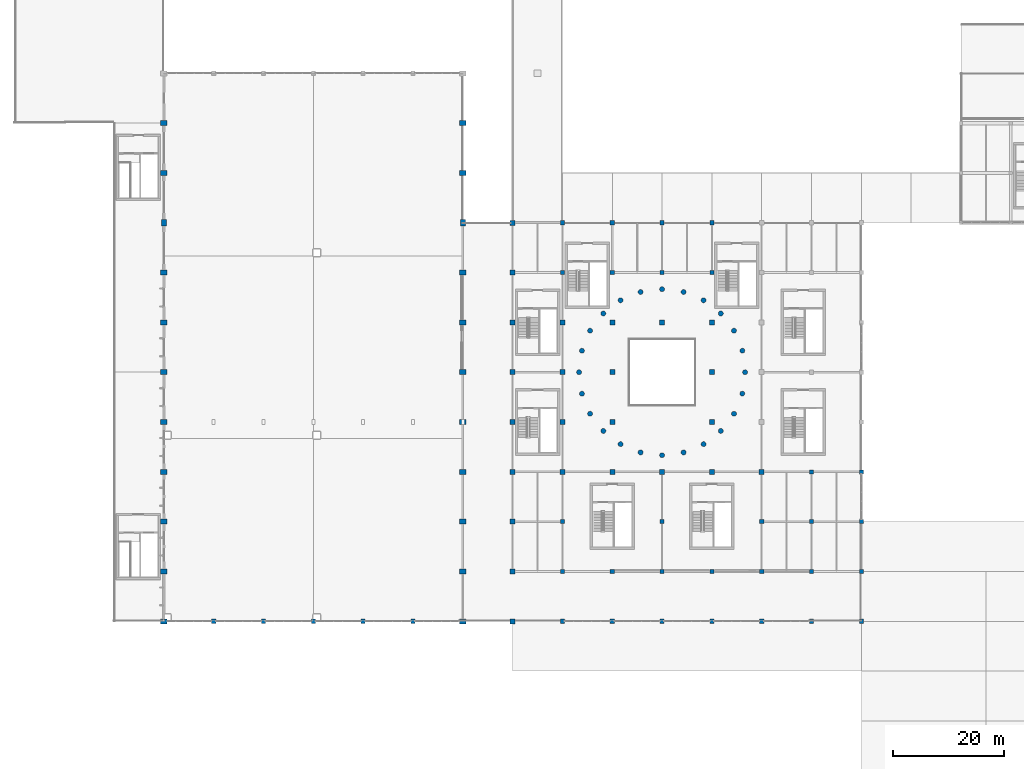
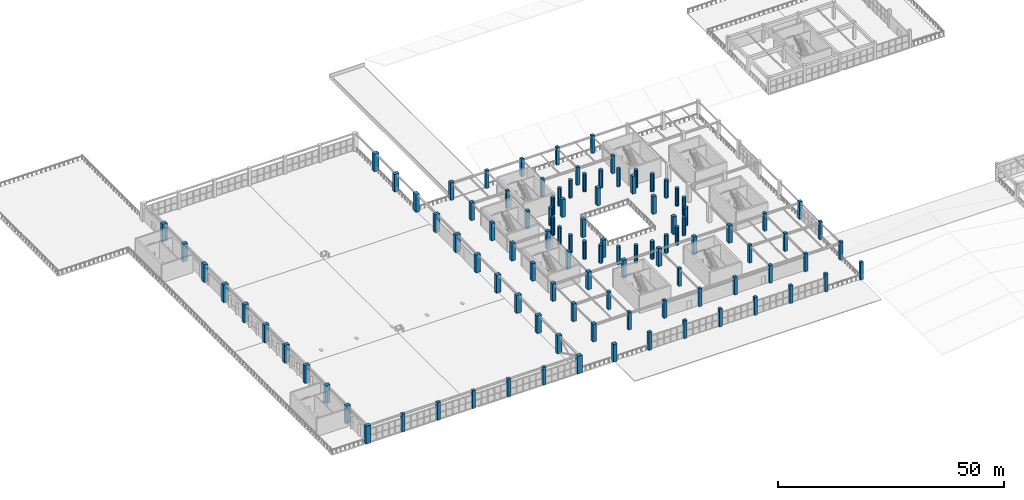
# One storey, part 1 of 89: 104 columns.
"""IFC4 building model written with IfcOpenShell, lengths in metres."""

import ifcopenshell
import ifcopenshell.guid

model = None  # the IFC model being written
_history = None  # IfcOwnerHistory: only IFC2X3 demands one
_inside = {}  # id of a spatial element -> (the spatial element, [elements in it])
_under = {}  # id of a project, library or spatial element -> (it, [spatial elements below it])
_declared = {}  # id of a project -> (the project, [libraries it declares])
_typed = {}  # id of a type object -> (the type object, [elements of that type])
_made_of = {}  # id of a material, layer set ... -> (it, [elements and type objects made of it])


def new_model(schema):
    """Start an empty IFC model of exactly this schema.

    Asked for "IFC4X3", IfcOpenShell would pick the latest addendum, in which some entities
    have other attributes; the version numbers below select the first issue.
    IFC2X3 requires an IfcOwnerHistory on every rooted entity: one is made here for all.
    """
    global model, _history
    if schema == "IFC4X3":
        model = ifcopenshell.file(schema_version=(4, 3, 0, 0))
    else:
        model = ifcopenshell.file(schema=schema)
    _inside.clear()
    _under.clear()
    _declared.clear()
    _typed.clear()
    _made_of.clear()
    _history = None
    if model.schema == "IFC2X3":
        org = make("IfcOrganization", Name="unknown")
        user = make(
            "IfcPersonAndOrganization",
            ThePerson=make("IfcPerson", FamilyName="unknown"),
            TheOrganization=org,
        )
        app = make(
            "IfcApplication",
            ApplicationDeveloper=org,
            Version="unknown",
            ApplicationFullName="unknown",
            ApplicationIdentifier="unknown",
        )
        _history = make(
            "IfcOwnerHistory",
            OwningUser=user,
            OwningApplication=app,
            ChangeAction="ADDED",
            CreationDate=0,
        )
    return model


def make(cls, **values):
    """One entity of the class cls with the attributes given. An attribute that is None is left unset."""
    return model.create_entity(
        cls, **{name: value for name, value in values.items() if value is not None}
    )


def rooted(cls, **values):
    """An entity with a GlobalId (a new one), such as an element, a storey or a relation."""
    return make(cls, GlobalId=ifcopenshell.guid.new(), OwnerHistory=_history, **values)


def si_unit(unit_type, name, prefix=None):
    """IfcSIUnit, for example si_unit("LENGTHUNIT", "METRE", prefix="MILLI")."""
    return make("IfcSIUnit", UnitType=unit_type, Prefix=prefix, Name=name)


def assignment(units):
    """IfcUnitAssignment: the units of a project."""
    return None if units is None else make("IfcUnitAssignment", Units=units)


def point(xyz):
    """IfcCartesianPoint."""
    return None if xyz is None else make("IfcCartesianPoint", Coordinates=xyz)


def direction(xyz):
    """IfcDirection."""
    return None if xyz is None else make("IfcDirection", DirectionRatios=xyz)


def frame(location, z_axis=None, x_axis=None):
    """IfcAxis2Placement3D, a coordinate frame: its origin and axes. An axis left out is left unset."""
    return make(
        "IfcAxis2Placement3D",
        Location=point(location),
        Axis=direction(z_axis),
        RefDirection=direction(x_axis),
    )


def frame_2d(location, x_axis=None):
    """IfcAxis2Placement2D, a coordinate frame in the plane: its origin and x axis."""
    return make(
        "IfcAxis2Placement2D", Location=point(location), RefDirection=direction(x_axis)
    )


def origin():
    """The frame at (0, 0, 0) with its axes left unset."""
    return frame((0.0, 0.0, 0.0))


def origin_2d():
    """The frame at (0, 0) in the plane with its x axis left unset."""
    return frame_2d((0.0, 0.0))


def place(relative_to, where):
    """IfcLocalPlacement: puts the frame where relative to a parent placement (None: the world)."""
    return make(
        "IfcLocalPlacement", PlacementRelTo=relative_to, RelativePlacement=where
    )


def context(
    kind, dimensions, precision=None, world=None, true_north=None, identifier=None
):
    """IfcGeometricRepresentationContext, for example the 3D "Model" context."""
    return make(
        "IfcGeometricRepresentationContext",
        ContextIdentifier=identifier,
        ContextType=kind,
        CoordinateSpaceDimension=dimensions,
        Precision=precision,
        WorldCoordinateSystem=world,
        TrueNorth=true_north,
    )


def subcontext(parent, identifier, kind, view, scale=None):
    """IfcGeometricRepresentationSubContext, for example "Body" below "Model"."""
    return make(
        "IfcGeometricRepresentationSubContext",
        ContextIdentifier=identifier,
        ContextType=kind,
        ParentContext=parent,
        TargetScale=scale,
        TargetView=view,
    )


def project(units=None, contexts=None):
    """IfcProject with its units and contexts."""
    return rooted(
        "IfcProject",
        Name="project",
        RepresentationContexts=contexts,
        UnitsInContext=assignment(units),
    )


def spatial(cls, under=None, at=None, **own):
    """A site, building, storey or space (cls), placed at a placement, below another one or the project."""
    s = rooted(cls, ObjectPlacement=at, **own)
    if under is not None:
        _under.setdefault(under.id(), (under, []))[1].append(s)
    return s


def profile(cls, at=None, kind="AREA", **sizes):
    """A parametric profile (cls). Its sizes go by their IFC names, for example OverallWidth=200.0."""
    return make(cls, ProfileType=kind, Position=at, **sizes)


def rectangle(**sizes):
    """IfcRectangleProfileDef."""
    return profile("IfcRectangleProfileDef", **sizes)


def circle(**sizes):
    """IfcCircleProfileDef."""
    return profile("IfcCircleProfileDef", **sizes)


def extrude(swept, where, along, depth):
    """IfcExtrudedAreaSolid: the profile swept, set in the frame where, extruded along a direction by depth."""
    return make(
        "IfcExtrudedAreaSolid",
        SweptArea=swept,
        Position=where,
        ExtrudedDirection=direction(along),
        Depth=depth,
    )


def shape(context_of_items, identifier, shape_type, items):
    """IfcShapeRepresentation: the items that make up one representation, for example the "Body"."""
    return make(
        "IfcShapeRepresentation",
        ContextOfItems=context_of_items,
        RepresentationIdentifier=identifier,
        RepresentationType=shape_type,
        Items=items,
    )


def material(Name=None, Category=None):
    """IfcMaterial."""
    return make("IfcMaterial", Name=Name, Category=Category)


def material_profile(
    of_material, cross_section, Name=None, Category=None, Priority=None
):
    """IfcMaterialProfile: a cross section and its material."""
    return make(
        "IfcMaterialProfile",
        Name=Name,
        Material=of_material,
        Profile=cross_section,
        Priority=Priority,
        Category=Category,
    )


def profile_set(profiles, Name=None, composite=None):
    """IfcMaterialProfileSet."""
    return make(
        "IfcMaterialProfileSet",
        Name=Name,
        MaterialProfiles=profiles,
        CompositeProfile=composite,
    )


def made_of(thing, what):
    """Note that an element or type object is made of a material, layer set ...; save() writes the relation."""
    if what is not None:
        _made_of.setdefault(what.id(), (what, []))[1].append(thing)
    return thing


def type_object(cls, material=None, **own):
    """A type object (cls), such as IfcWallType, which elements share."""
    return made_of(rooted(cls, **own), material)


def element(
    cls,
    number,
    at=None,
    inside=None,
    cuts=None,
    type_object=None,
    material=None,
    context=None,
    identifier="Body",
    shape_type=None,
    held_by="IfcProductDefinitionShape",
    body=None,
    shapes=None,
    **own,
):
    """One element of the class cls, such as IfcWall. Its Tag is "e" and its number.

    at: its placement. inside: the storey or other place that contains it. cuts: it is an
    opening in that element (IfcRelVoidsElement). A single representation is given by context,
    identifier, shape_type and body (its items); several are given by shapes. held_by: the class
    of the entity that holds the representations. save() writes the other relations.
    """
    e = rooted(cls, Tag="e%d" % number, ObjectPlacement=at, **own)
    if body is not None:
        shapes = [shape(context, identifier, shape_type, body)]
    if shapes is not None:
        e.Representation = make(held_by, Representations=shapes)
    if inside is not None:
        _inside.setdefault(inside.id(), (inside, []))[1].append(e)
    if cuts is not None:
        rooted(
            "IfcRelVoidsElement", RelatingBuildingElement=cuts, RelatedOpeningElement=e
        )
    if type_object is not None:
        _typed.setdefault(type_object.id(), (type_object, []))[1].append(e)
    return made_of(e, material)


def aggregate(whole, parts):
    """IfcRelAggregates: a whole, such as a stair, and the parts it consists of."""
    return rooted("IfcRelAggregates", RelatingObject=whole, RelatedObjects=parts)


def save(model, path):
    """Write the relations noted so far, then the file.

    IfcRelAggregates (storeys below a building ...), IfcRelContainedInSpatialStructure (elements
    in a storey), IfcRelDefinesByType, IfcRelAssociatesMaterial and IfcRelDeclares: one each for
    every whole, place, type object, material and project.
    """
    for whole, parts in _under.values():
        aggregate(whole, parts)
    for where, things in _inside.values():
        rooted(
            "IfcRelContainedInSpatialStructure",
            RelatedElements=things,
            RelatingStructure=where,
        )
    for kind, things in _typed.values():
        rooted("IfcRelDefinesByType", RelatedObjects=things, RelatingType=kind)
    for what, things in _made_of.values():
        rooted("IfcRelAssociatesMaterial", RelatedObjects=things, RelatingMaterial=what)
    for by, libraries in _declared.values():
        rooted("IfcRelDeclares", RelatingContext=by, RelatedDefinitions=libraries)
    model.write(path)


model = new_model("IFC4")

# Units and contexts
model_context = context("Model", 3, precision=1e-05, world=origin(), true_north=direction((0.0, 1.0)))
body_context = subcontext(model_context, "Body", "Model", "MODEL_VIEW")
ifc_project = project(units=[si_unit("LENGTHUNIT", "METRE"), si_unit("AREAUNIT", "SQUARE_METRE"), si_unit("VOLUMEUNIT", "CUBIC_METRE"), si_unit("PLANEANGLEUNIT", "RADIAN"), si_unit("MASSUNIT", "GRAM", prefix="KILO")], contexts=[model_context])

# Site, building, storey
site_placement = place(None, origin())
site = spatial("IfcSite", under=ifc_project, at=site_placement, CompositionType="ELEMENT")
building_placement = place(site_placement, origin())
building = spatial("IfcBuilding", under=site, at=building_placement, Name="Dornveld Trade and Exhibition Forum", CompositionType="ELEMENT")
storey_placement = place(building_placement, frame((0.0, 0.0, 12.0)))
storey = spatial("IfcBuildingStorey", under=building, at=storey_placement, Name="L02", CompositionType="ELEMENT", Elevation=12.0)

# Columns
ifc_material_1 = material(Name="Precast concrete C50/60", Category="concrete")
ifc_material_profile_1 = material_profile(ifc_material_1, circle(Radius=0.449951171875, at=origin_2d()), Name="PC-COL D900")
ifc_profile_set_1 = profile_set([ifc_material_profile_1], Name="Precast concrete C50/60")
column_type_1 = type_object("IfcColumnType", Name="COL-DISC-D900", PredefinedType="COLUMN", material=ifc_profile_set_1)
for number, where, z_axis, x_axis, name in (
    (1, (102.0, 81.0, 0.0), (0.0, 0.0, 1.0), (1.0, 0.0, 0.0), "L02 column (102.0, 81.0)"),
    (2, (102.510986328125, 77.117919921875, 0.0), (0.0, 0.0, 1.0), (1.0, 0.0, 0.0), "L02 column (102.5, 77.1)"),
    (3, (102.510986328125, 84.882080078125, 0.0), (0.0, 0.0, 1.0), (1.0, 0.0, 0.0), "L02 column (102.5, 84.9)"),
    (4, (104.010009765625, 73.5, 0.0), (0.0, 0.0, 1.0), (1.0, 0.0, 0.0), "L02 column (104.0, 73.5)"),
    (5, (104.010009765625, 88.5, 0.0), (0.0, 0.0, 1.0), (1.0, 0.0, 0.0), "L02 column (104.0, 88.5)"),
    (6, (106.39306640625, 70.39306640625, 0.0), (0.0, 0.0, 1.0), (1.0, 0.0, 0.0), "L02 column (106.4, 70.4)"),
    (7, (106.39306640625, 91.60693359375, 0.0), (0.0, 0.0, 1.0), (1.0, 0.0, 0.0), "L02 column (106.4, 91.6)"),
    (8, (109.5, 68.010009765625, 0.0), (0.0, 0.0, 1.0), (1.0, 0.0, 0.0), "L02 column (109.5, 68.0)"),
    (9, (109.5, 93.989990234375, 0.0), (0.0, 0.0, 1.0), (1.0, 0.0, 0.0), "L02 column (109.5, 94.0)"),
    (10, (113.117919921875, 66.510986328125, 0.0), (0.0, 0.0, 1.0), (1.0, 0.0, 0.0), "L02 column (113.1, 66.5)"),
    (11, (113.117919921875, 95.489013671875, 0.0), (0.0, 0.0, 1.0), (1.0, 0.0, 0.0), "L02 column (113.1, 95.5)"),
    (12, (117.0, 66.0, 0.0), (0.0, 0.0, 1.0), (1.0, 0.0, 0.0), "L02 column (117.0, 66.0)"),
    (13, (117.0, 96.0, 0.0), (0.0, 0.0, 1.0), (1.0, 0.0, 0.0), "L02 column (117.0, 96.0)"),
    (14, (120.882080078125, 66.510986328125, 0.0), (0.0, 0.0, 1.0), (1.0, 0.0, 0.0), "L02 column (120.9, 66.5)"),
    (15, (120.882080078125, 95.489013671875, 0.0), (0.0, 0.0, 1.0), (1.0, 0.0, 0.0), "L02 column (120.9, 95.5)"),
    (16, (124.5, 68.010009765625, 0.0), (0.0, 0.0, 1.0), (1.0, 0.0, 0.0), "L02 column (124.5, 68.0)"),
    (17, (124.5, 93.989990234375, 0.0), (0.0, 0.0, 1.0), (1.0, 0.0, 0.0), "L02 column (124.5, 94.0)"),
    (18, (127.60693359375, 70.39306640625, 0.0), (0.0, 0.0, 1.0), (1.0, 0.0, 0.0), "L02 column (127.6, 70.4)"),
    (19, (127.60693359375, 91.60693359375, 0.0), (0.0, 0.0, 1.0), (1.0, 0.0, 0.0), "L02 column (127.6, 91.6)"),
    (20, (129.989990234375, 73.5, 0.0), (0.0, 0.0, 1.0), (1.0, 0.0, 0.0), "L02 column (130.0, 73.5)"),
    (21, (129.989990234375, 88.5, 0.0), (0.0, 0.0, 1.0), (1.0, 0.0, 0.0), "L02 column (130.0, 88.5)"),
    (22, (131.489013671875, 77.117919921875, 0.0), (0.0, 0.0, 1.0), (1.0, 0.0, 0.0), "L02 column (131.5, 77.1)"),
    (23, (131.489013671875, 84.882080078125, 0.0), (0.0, 0.0, 1.0), (1.0, 0.0, 0.0), "L02 column (131.5, 84.9)"),
    (24, (132.0, 81.0, 0.0), (0.0, 0.0, 1.0), (1.0, 0.0, 0.0), "L02 column (132.0, 81.0)"),
):
    element("IfcColumn", number, at=place(storey_placement, frame(where, z_axis=z_axis, x_axis=x_axis)), inside=storey, type_object=column_type_1, Name=name, PredefinedType="COLUMN", context=body_context, shape_type="SweptSolid", body=[
        extrude(circle(Radius=0.449951171875, at=origin_2d()), origin(), (0.0, 0.0, 1.0), 4.800048828125),
    ])
ifc_material_2 = material(Name="Precast concrete C50/60", Category="concrete")
ifc_material_profile_2 = material_profile(ifc_material_2, rectangle(XDim=0.75, YDim=0.75, at=origin_2d()), Name="PC-COL 750x750")
ifc_profile_set_2 = profile_set([ifc_material_profile_2], Name="Precast concrete C50/60")
column_type_2 = type_object("IfcColumnType", Name="COL-PC750", PredefinedType="COLUMN", material=ifc_profile_set_2)
for number, where, z_axis, x_axis, name in (
    (25, (99.0, 36.0, 0.0), (0.0, 0.0, 1.0), (1.0, 0.0, 0.0), "L02 column (99.0, 36.0)"),
    (26, (99.0, 45.0, 0.0), (0.0, 0.0, 1.0), (1.0, 0.0, 0.0), "L02 column (99.0, 45.0)"),
    (27, (99.0, 54.0, 0.0), (0.0, 0.0, 1.0), (1.0, 0.0, 0.0), "L02 column (99.0, 54.0)"),
    (28, (99.0, 99.0, 0.0), (0.0, 0.0, 1.0), (1.0, 0.0, 0.0), "L02 column (99.0, 99.0)"),
    (29, (99.0, 108.0, 0.0), (0.0, 0.0, 1.0), (1.0, 0.0, 0.0), "L02 column (99.0, 108.0)"),
    (30, (108.0, 36.0, 0.0), (0.0, 0.0, 1.0), (1.0, 0.0, 0.0), "L02 column (108.0, 36.0)"),
    (31, (108.0, 45.0, 0.0), (0.0, 0.0, 1.0), (1.0, 0.0, 0.0), "L02 column (108.0, 45.0)"),
    (32, (108.0, 99.0, 0.0), (0.0, 0.0, 1.0), (1.0, 0.0, 0.0), "L02 column (108.0, 99.0)"),
    (33, (108.0, 108.0, 0.0), (0.0, 0.0, 1.0), (1.0, 0.0, 0.0), "L02 column (108.0, 108.0)"),
    (34, (117.0, 36.0, 0.0), (0.0, 0.0, 1.0), (1.0, 0.0, 0.0), "L02 column (117.0, 36.0)"),
    (35, (117.0, 45.0, 0.0), (0.0, 0.0, 1.0), (1.0, 0.0, 0.0), "L02 column (117.0, 45.0)"),
    (36, (117.0, 54.0, 0.0), (0.0, 0.0, 1.0), (1.0, 0.0, 0.0), "L02 column (117.0, 54.0)"),
    (37, (117.0, 99.0, 0.0), (0.0, 0.0, 1.0), (1.0, 0.0, 0.0), "L02 column (117.0, 99.0)"),
    (38, (117.0, 108.0, 0.0), (0.0, 0.0, 1.0), (1.0, 0.0, 0.0), "L02 column (117.0, 108.0)"),
    (39, (126.0, 36.0, 0.0), (0.0, 0.0, 1.0), (1.0, 0.0, 0.0), "L02 column (126.0, 36.0)"),
    (40, (126.0, 45.0, 0.0), (0.0, 0.0, 1.0), (1.0, 0.0, 0.0), "L02 column (126.0, 45.0)"),
    (41, (126.0, 99.0, 0.0), (0.0, 0.0, 1.0), (1.0, 0.0, 0.0), "L02 column (126.0, 99.0)"),
    (42, (126.0, 108.0, 0.0), (0.0, 0.0, 1.0), (1.0, 0.0, 0.0), "L02 column (126.0, 108.0)"),
    (43, (135.0, 36.0, 0.0), (0.0, 0.0, 1.0), (1.0, 0.0, 0.0), "L02 column (135.0, 36.0)"),
    (44, (135.0, 45.0, 0.0), (0.0, 0.0, 1.0), (1.0, 0.0, 0.0), "L02 column (135.0, 45.0)"),
    (45, (135.0, 54.0, 0.0), (0.0, 0.0, 1.0), (1.0, 0.0, 0.0), "L02 column (135.0, 54.0)"),
    (46, (144.0, 36.0, 0.0), (0.0, 0.0, 1.0), (1.0, 0.0, 0.0), "L02 column (144.0, 36.0)"),
    (47, (144.0, 45.0, 0.0), (0.0, 0.0, 1.0), (1.0, 0.0, 0.0), "L02 column (144.0, 45.0)"),
    (48, (144.0, 54.0, 0.0), (0.0, 0.0, 1.0), (1.0, 0.0, 0.0), "L02 column (144.0, 54.0)"),
    (49, (144.0, 63.0, 0.0), (0.0, 0.0, 1.0), (1.0, 0.0, 0.0), "L02 column (144.0, 63.0)"),
    (50, (153.0, 36.0, 0.0), (0.0, 0.0, 1.0), (1.0, 0.0, 0.0), "L02 column (153.0, 36.0)"),
    (51, (153.0, 45.0, 0.0), (0.0, 0.0, 1.0), (1.0, 0.0, 0.0), "L02 column (153.0, 45.0)"),
    (52, (153.0, 54.0, 0.0), (0.0, 0.0, 1.0), (1.0, 0.0, 0.0), "L02 column (153.0, 54.0)"),
    (53, (153.0, 63.0, 0.0), (0.0, 0.0, 1.0), (1.0, 0.0, 0.0), "L02 column (153.0, 63.0)"),
):
    element("IfcColumn", number, at=place(storey_placement, frame(where, z_axis=z_axis, x_axis=x_axis)), inside=storey, type_object=column_type_2, Name=name, PredefinedType="COLUMN", context=body_context, shape_type="SweptSolid", body=[
        extrude(rectangle(XDim=0.75, YDim=0.75, at=origin_2d()), origin(), (0.0, 0.0, 1.0), 4.800048828125),
    ])
ifc_material_3 = material(Name="Precast concrete C50/60", Category="concrete")
ifc_material_profile_3 = material_profile(ifc_material_3, rectangle(XDim=0.89990234375, YDim=0.89990234375, at=origin_2d()), Name="PC-COL 900x900")
ifc_profile_set_3 = profile_set([ifc_material_profile_3], Name="Precast concrete C50/60")
column_type_3 = type_object("IfcColumnType", Name="COL-PC900", PredefinedType="COLUMN", material=ifc_profile_set_3)
for number, where, z_axis, x_axis, name in (
    (54, (90.0, 36.0, 0.0), (0.0, 0.0, 1.0), (1.0, 0.0, 0.0), "L02 column (90.0, 36.0)"),
    (55, (90.0, 45.0, 0.0), (0.0, 0.0, 1.0), (1.0, 0.0, 0.0), "L02 column (90.0, 45.0)"),
    (56, (90.0, 54.0, 0.0), (0.0, 0.0, 1.0), (1.0, 0.0, 0.0), "L02 column (90.0, 54.0)"),
    (57, (90.0, 63.0, 0.0), (0.0, 0.0, 1.0), (1.0, 0.0, 0.0), "L02 column (90.0, 63.0)"),
    (58, (90.0, 72.0, 0.0), (0.0, 0.0, 1.0), (1.0, 0.0, 0.0), "L02 column (90.0, 72.0)"),
    (59, (90.0, 81.0, 0.0), (0.0, 0.0, 1.0), (1.0, 0.0, 0.0), "L02 column (90.0, 81.0)"),
    (60, (90.0, 90.0, 0.0), (0.0, 0.0, 1.0), (1.0, 0.0, 0.0), "L02 column (90.0, 90.0)"),
    (61, (90.0, 99.0, 0.0), (0.0, 0.0, 1.0), (1.0, 0.0, 0.0), "L02 column (90.0, 99.0)"),
    (62, (90.0, 108.0, 0.0), (0.0, 0.0, 1.0), (1.0, 0.0, 0.0), "L02 column (90.0, 108.0)"),
    (63, (99.0, 63.0, 0.0), (0.0, 0.0, 1.0), (1.0, 0.0, 0.0), "L02 column (99.0, 63.0)"),
    (64, (99.0, 72.0, 0.0), (0.0, 0.0, 1.0), (1.0, 0.0, 0.0), "L02 column (99.0, 72.0)"),
    (65, (99.0, 81.0, 0.0), (0.0, 0.0, 1.0), (1.0, 0.0, 0.0), "L02 column (99.0, 81.0)"),
    (66, (99.0, 90.0, 0.0), (0.0, 0.0, 1.0), (1.0, 0.0, 0.0), "L02 column (99.0, 90.0)"),
    (67, (108.0, 63.0, 0.0), (0.0, 0.0, 1.0), (1.0, 0.0, 0.0), "L02 column (108.0, 63.0)"),
    (68, (108.0, 72.0, 0.0), (0.0, 0.0, 1.0), (1.0, 0.0, 0.0), "L02 column (108.0, 72.0)"),
    (69, (108.0, 81.0, 0.0), (0.0, 0.0, 1.0), (1.0, 0.0, 0.0), "L02 column (108.0, 81.0)"),
    (70, (108.0, 90.0, 0.0), (0.0, 0.0, 1.0), (1.0, 0.0, 0.0), "L02 column (108.0, 90.0)"),
    (71, (117.0, 63.0, 0.0), (0.0, 0.0, 1.0), (1.0, 0.0, 0.0), "L02 column (117.0, 63.0)"),
    (72, (117.0, 90.0, 0.0), (0.0, 0.0, 1.0), (1.0, 0.0, 0.0), "L02 column (117.0, 90.0)"),
    (73, (126.0, 63.0, 0.0), (0.0, 0.0, 1.0), (1.0, 0.0, 0.0), "L02 column (126.0, 63.0)"),
    (74, (126.0, 72.0, 0.0), (0.0, 0.0, 1.0), (1.0, 0.0, 0.0), "L02 column (126.0, 72.0)"),
    (75, (126.0, 81.0, 0.0), (0.0, 0.0, 1.0), (1.0, 0.0, 0.0), "L02 column (126.0, 81.0)"),
    (76, (126.0, 90.0, 0.0), (0.0, 0.0, 1.0), (1.0, 0.0, 0.0), "L02 column (126.0, 90.0)"),
    (77, (135.0, 63.0, 0.0), (0.0, 0.0, 1.0), (1.0, 0.0, 0.0), "L02 column (135.0, 63.0)"),
):
    element("IfcColumn", number, at=place(storey_placement, frame(where, z_axis=z_axis, x_axis=x_axis)), inside=storey, type_object=column_type_3, Name=name, PredefinedType="COLUMN", context=body_context, shape_type="SweptSolid", body=[
        extrude(rectangle(XDim=0.89990234375, YDim=0.89990234375, at=origin_2d()), origin(), (0.0, 0.0, 1.0), 4.800048828125),
    ])
ifc_material_4 = material(Name="Precast concrete C50/60", Category="concrete")
ifc_material_profile_4 = material_profile(ifc_material_4, rectangle(XDim=1.199951171875, YDim=0.89990234375, at=origin_2d()), Name="PC-PIER 1200x900")
ifc_profile_set_4 = profile_set([ifc_material_profile_4], Name="Precast concrete C50/60")
column_type_4 = type_object("IfcColumnType", Name="COL-PIER1200", PredefinedType="COLUMN", material=ifc_profile_set_4)
for number, where, z_axis, x_axis, name in (
    (78, (27.0, 36.0, 0.0), (0.0, 0.0, 1.0), (1.0, 0.0, 0.0), "L02 column (27.0, 36.0)"),
    (79, (27.0, 45.0, 0.0), (0.0, 0.0, 1.0), (1.0, 0.0, 0.0), "L02 column (27.0, 45.0)"),
    (80, (27.0, 54.0, 0.0), (0.0, 0.0, 1.0), (1.0, 0.0, 0.0), "L02 column (27.0, 54.0)"),
    (81, (27.0, 63.0, 0.0), (0.0, 0.0, 1.0), (1.0, 0.0, 0.0), "L02 column (27.0, 63.0)"),
    (82, (27.0, 72.0, 0.0), (0.0, 0.0, 1.0), (1.0, 0.0, 0.0), "L02 column (27.0, 72.0)"),
    (83, (27.0, 81.0, 0.0), (0.0, 0.0, 1.0), (1.0, 0.0, 0.0), "L02 column (27.0, 81.0)"),
    (84, (27.0, 90.0, 0.0), (0.0, 0.0, 1.0), (1.0, 0.0, 0.0), "L02 column (27.0, 90.0)"),
    (85, (27.0, 99.0, 0.0), (0.0, 0.0, 1.0), (1.0, 0.0, 0.0), "L02 column (27.0, 99.0)"),
    (86, (27.0, 108.0, 0.0), (0.0, 0.0, 1.0), (0.0, 1.0, 0.0), "L02 column (27.0, 108.0)"),
    (87, (27.0, 117.0, 0.0), (0.0, 0.0, 1.0), (1.0, 0.0, 0.0), "L02 column (27.0, 117.0)"),
    (88, (27.0, 126.0, 0.0), (0.0, 0.0, 1.0), (1.0, 0.0, 0.0), "L02 column (27.0, 126.0)"),
    (89, (81.0, 36.0, 0.0), (0.0, 0.0, 1.0), (1.0, 0.0, 0.0), "L02 column (81.0, 36.0)"),
    (90, (81.0, 45.0, 0.0), (0.0, 0.0, 1.0), (1.0, 0.0, 0.0), "L02 column (81.0, 45.0)"),
    (91, (81.0, 54.0, 0.0), (0.0, 0.0, 1.0), (1.0, 0.0, 0.0), "L02 column (81.0, 54.0)"),
    (92, (81.0, 63.0, 0.0), (0.0, 0.0, 1.0), (1.0, 0.0, 0.0), "L02 column (81.0, 63.0)"),
    (93, (81.0, 72.0, 0.0), (0.0, 0.0, 1.0), (1.0, 0.0, 0.0), "L02 column (81.0, 72.0)"),
    (94, (81.0, 81.0, 0.0), (0.0, 0.0, 1.0), (1.0, 0.0, 0.0), "L02 column (81.0, 81.0)"),
    (95, (81.0, 90.0, 0.0), (0.0, 0.0, 1.0), (1.0, 0.0, 0.0), "L02 column (81.0, 90.0)"),
    (96, (81.0, 99.0, 0.0), (0.0, 0.0, 1.0), (1.0, 0.0, 0.0), "L02 column (81.0, 99.0)"),
    (97, (81.0, 108.0, 0.0), (0.0, 0.0, 1.0), (0.0, 1.0, 0.0), "L02 column (81.0, 108.0)"),
    (98, (81.0, 117.0, 0.0), (0.0, 0.0, 1.0), (1.0, 0.0, 0.0), "L02 column (81.0, 117.0)"),
    (99, (81.0, 126.0, 0.0), (0.0, 0.0, 1.0), (1.0, 0.0, 0.0), "L02 column (81.0, 126.0)"),
):
    element("IfcColumn", number, at=place(storey_placement, frame(where, z_axis=z_axis, x_axis=x_axis)), inside=storey, type_object=column_type_4, Name=name, PredefinedType="COLUMN", context=body_context, shape_type="SweptSolid", body=[
        extrude(rectangle(XDim=1.199951171875, YDim=0.89990234375, at=origin_2d()), origin(), (0.0, 0.0, 1.0), 4.800048828125),
    ])
ifc_material_5 = material(Name="Precast concrete C50/60", Category="concrete")
ifc_material_profile_5 = material_profile(ifc_material_5, rectangle(XDim=0.75, YDim=0.75, at=origin_2d()), Name="PC-COL 750x750")
ifc_profile_set_5 = profile_set([ifc_material_profile_5], Name="Precast concrete C50/60")
column_type_5 = type_object("IfcColumnType", Name="COL-PILASTER750", PredefinedType="PILASTER", material=ifc_profile_set_5)
for number, where, z_axis, x_axis, name in (
    (100, (36.0, 36.0, 0.0), (0.0, 0.0, 1.0), (1.0, 0.0, 0.0), "L02 column (36.0, 36.0)"),
    (101, (45.0, 36.0, 0.0), (0.0, 0.0, 1.0), (1.0, 0.0, 0.0), "L02 column (45.0, 36.0)"),
    (102, (54.0, 36.0, 0.0), (0.0, 0.0, 1.0), (1.0, 0.0, 0.0), "L02 column (54.0, 36.0)"),
    (103, (63.0, 36.0, 0.0), (0.0, 0.0, 1.0), (1.0, 0.0, 0.0), "L02 column (63.0, 36.0)"),
    (104, (72.0, 36.0, 0.0), (0.0, 0.0, 1.0), (1.0, 0.0, 0.0), "L02 column (72.0, 36.0)"),
):
    element("IfcColumn", number, at=place(storey_placement, frame(where, z_axis=z_axis, x_axis=x_axis)), inside=storey, type_object=column_type_5, Name=name, PredefinedType="PILASTER", context=body_context, shape_type="SweptSolid", body=[
        extrude(rectangle(XDim=0.75, YDim=0.75, at=origin_2d()), origin(), (0.0, 0.0, 1.0), 4.800048828125),
    ])

save(model, "model.ifc")
